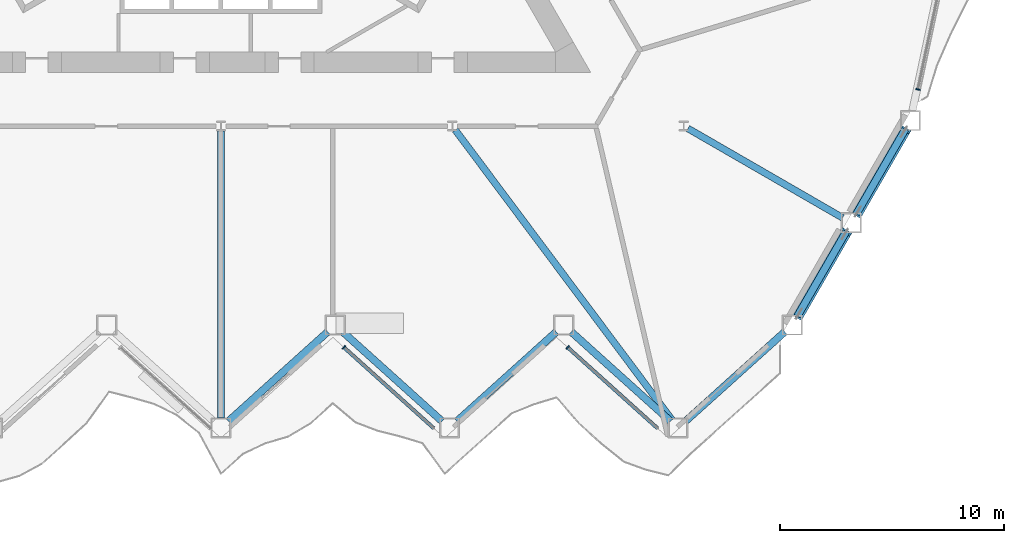
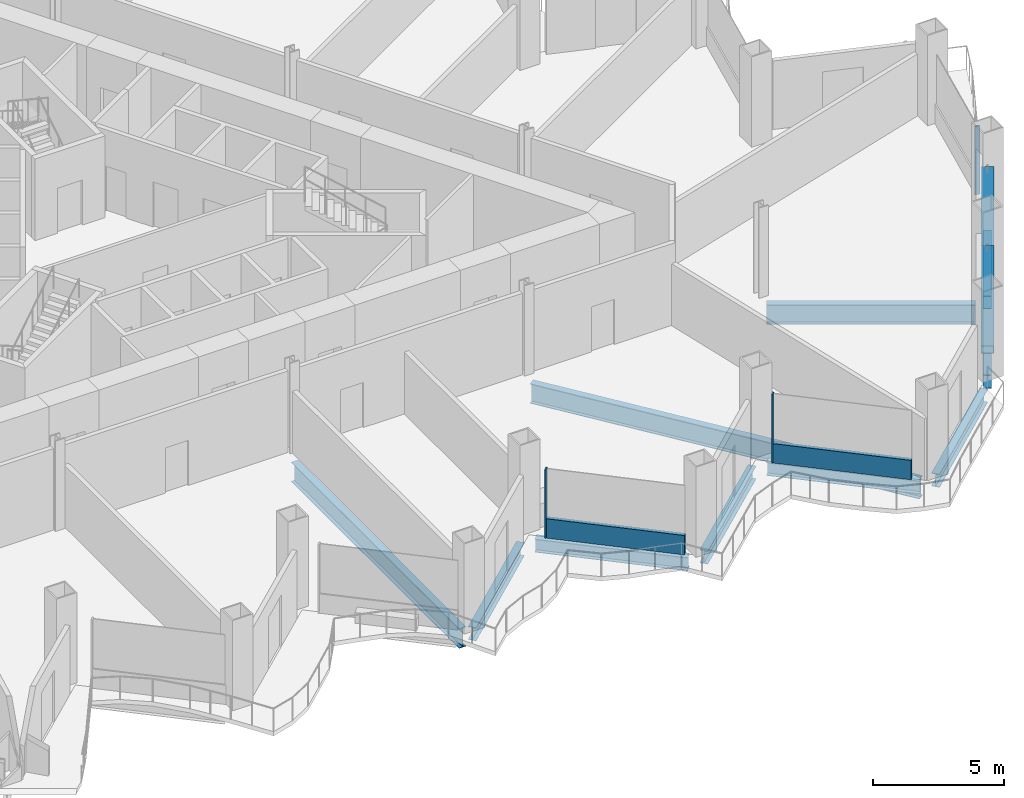
# One storey, part 5 of 21: 10 beams, 7 members, 3 elements without a shape of their own.
"""IFC4 building model written with IfcOpenShell, lengths in metres."""

from ifc_helpers import new_model, si_unit, direction, frame, origin, origin_2d, place, context, subcontext, project, spatial, rectangle, hollow_rectangle, i_section, extrude, material, layer, layer_set, material_profile, profile_set, type_object, element, aggregate, save


model = new_model("IFC4")

# Units and contexts
model_context = context("Model", 3, precision=1e-05, world=origin(), true_north=direction((0.0, 1.0)))
body_context = subcontext(model_context, "Body", "Model", "MODEL_VIEW")
ifc_project = project(units=[si_unit("LENGTHUNIT", "METRE"), si_unit("AREAUNIT", "SQUARE_METRE"), si_unit("VOLUMEUNIT", "CUBIC_METRE"), si_unit("PLANEANGLEUNIT", "RADIAN"), si_unit("MASSUNIT", "GRAM", prefix="KILO")], contexts=[model_context])

# Site, building, storey
site_placement = place(None, origin())
site = spatial("IfcSite", under=ifc_project, at=site_placement, CompositionType="ELEMENT")
building_placement = place(site_placement, origin())
building = spatial("IfcBuilding", under=site, at=building_placement, Name="Cormorant Prow Tower", CompositionType="ELEMENT")
storey_placement = place(building_placement, frame((0.0, 0.0, 108.0)))
storey = spatial("IfcBuildingStorey", under=building, at=storey_placement, Name="L22", CompositionType="ELEMENT", Elevation=108.0)

# Members
ifc_material_1 = material(Name="Structural steel ASTM A500 Gr C", Category="steel")
ifc_material_profile_1 = material_profile(ifc_material_1, hollow_rectangle(XDim=0.508056640625, YDim=0.508056640625, WallThickness=0.014892578125, at=origin_2d()), Name="HSS20x20x5/8")
ifc_profile_set_1 = profile_set([ifc_material_profile_1], Name="Structural steel ASTM A500 Gr C")
member_type_1 = type_object("IfcMemberType", Name="Chamfer brace HSS20x20x5/8", PredefinedType="BRACE", material=ifc_profile_set_1)
for number, where, z_axis, x_axis, name in (
    (1, (25.733642578125, -20.402099609375, 0.776611328125), (0.467784671838, 0.810243526908, 0.35310469821), (-0.866029868417, 0.499992266949, 0.0), "Chamfer brace BR1 at ESE00 L22"),
    (2, (28.368408203125, -15.83837890625, 0.776611328125), (0.467784671838, 0.810243526908, 0.35310469821), (-0.866029868417, 0.499992266949, 0.0), "Chamfer brace BR1 at ESE01 L22"),
):
    element("IfcMember", number, at=place(storey_placement, frame(where, z_axis=z_axis, x_axis=x_axis)), inside=storey, type_object=member_type_1, Name=name, PredefinedType="BRACE", context=body_context, shape_type="SweptSolid", body=[
        extrude(hollow_rectangle(XDim=0.508056640625, YDim=0.508056640625, WallThickness=0.014892578125, at=origin_2d()), origin(), (0.0, 0.0, 1.0), 4.632568359375),
    ])

# Curtain wall, member
ifc_material_2 = material(Name="Aluminium 6063-T6", Category="aluminium")
ifc_layer = layer(ifc_material_2, 0.199951171875)
ifc_layer_set = layer_set([ifc_layer], Name="Aluminium 6063-T6")
curtain_wall_type = type_object("IfcCurtainWallType", Name="Office unitised curtain wall 200", PredefinedType="NOTDEFINED", material=ifc_layer_set)
curtain_wall_1_placement = place(storey_placement, origin())
curtain_wall_1 = element("IfcCurtainWall", 3, at=curtain_wall_1_placement, inside=storey, type_object=curtain_wall_type, Name="Office curtain wall S06", PredefinedType="NOTDEFINED")
ifc_material_3 = material(Name="Aluminium 6063-T6", Category="aluminium")
ifc_material_profile_2 = material_profile(ifc_material_3, rectangle(XDim=0.199951171875, YDim=0.06005859375, at=origin_2d()), Name="Office mullion 60x200")
ifc_profile_set_2 = profile_set([ifc_material_profile_2], Name="Aluminium 6063-T6")
member_type_2 = type_object("IfcMemberType", Name="Office mullion 60x200", PredefinedType="MULLION", material=ifc_profile_set_2)
member_1_placement = place(storey_placement, frame((5.487548828125, -21.800537109375, 0.0), z_axis=(0.0, 0.0, 1.0), x_axis=(0.669130650497, 0.743144785735, 0.0)))
member_1 = element("IfcMember", 4, at=member_1_placement, type_object=member_type_2, Name="Office mullion S06", PredefinedType="MULLION", context=body_context, shape_type="SweptSolid", body=[
    extrude(rectangle(XDim=0.199951171875, YDim=0.06005859375, at=origin_2d()), origin(), (0.0, 0.0, 1.0), 3.18896484375),
])

curtain_wall_2_placement = place(storey_placement, origin())
curtain_wall_2 = element("IfcCurtainWall", 5, at=curtain_wall_2_placement, inside=storey, type_object=curtain_wall_type, Name="Office curtain wall S08", PredefinedType="NOTDEFINED")
member_2_placement = place(storey_placement, frame((15.472900390625, -21.800537109375, 0.0), z_axis=(0.0, 0.0, 1.0), x_axis=(0.669130650497, 0.743144785735, 0.0)))
member_2 = element("IfcMember", 6, at=member_2_placement, type_object=member_type_2, Name="Office mullion S08", PredefinedType="MULLION", context=body_context, shape_type="SweptSolid", body=[
    extrude(rectangle(XDim=0.199951171875, YDim=0.06005859375, at=origin_2d()), origin(), (0.0, 0.0, 1.0), 3.18896484375),
])

curtain_wall_3_placement = place(storey_placement, origin())
curtain_wall_3 = element("IfcCurtainWall", 7, at=curtain_wall_3_placement, inside=storey, type_object=curtain_wall_type, Name="Office curtain wall ENE00", PredefinedType="NOTDEFINED")
member_3_placement = place(storey_placement, frame((31.114013671875, -10.2900390625, 0.0), z_axis=(0.0, 0.0, 1.0), x_axis=(-0.978147583933, 0.207911769861, 0.0)))
member_3 = element("IfcMember", 8, at=member_3_placement, type_object=member_type_2, Name="Office mullion ENE00", PredefinedType="MULLION", context=body_context, shape_type="SweptSolid", body=[
    extrude(rectangle(XDim=0.199951171875, YDim=0.06005859375, at=origin_2d()), origin(), (0.0, 0.0, 1.0), 3.18896484375),
])
aggregate(curtain_wall_3, [member_3])

# Member
ifc_material_4 = material(Name="Terracotta", Category="masonry")
ifc_material_profile_3 = material_profile(ifc_material_4, rectangle(XDim=0.159912109375, YDim=0.89990234375, at=origin_2d()), Name="Office terracotta spandrel rail 160x900")
ifc_profile_set_3 = profile_set([ifc_material_profile_3], Name="Terracotta")
member_type_3 = type_object("IfcMemberType", Name="Office terracotta spandrel rail 160x900", PredefinedType="USERDEFINED", material=ifc_profile_set_3)
member_4_placement = place(storey_placement, frame((5.510009765625, -21.820556640625, 0.449951171875), z_axis=(0.743125087883, -0.669152526528, 0.0), x_axis=(0.669152526528, 0.743125087883, 0.0)))
member_4 = element("IfcMember", 9, at=member_4_placement, type_object=member_type_3, Name="Office spandrel rail S06", ObjectType="TRANSOM", PredefinedType="USERDEFINED", context=body_context, shape_type="SweptSolid", body=[
    extrude(rectangle(XDim=0.159912109375, YDim=0.89990234375, at=origin_2d()), origin(), (0.0, 0.0, 1.0), 5.38623046875),
])

aggregate(curtain_wall_1, [member_1, member_4])

member_5_placement = place(storey_placement, frame((15.495361328125, -21.820556640625, 0.449951171875), z_axis=(0.743125087883, -0.669152526528, 0.0), x_axis=(0.669152526528, 0.743125087883, 0.0)))
member_5 = element("IfcMember", 10, at=member_5_placement, type_object=member_type_3, Name="Office spandrel rail S08", ObjectType="TRANSOM", PredefinedType="USERDEFINED", context=body_context, shape_type="SweptSolid", body=[
    extrude(rectangle(XDim=0.159912109375, YDim=0.89990234375, at=origin_2d()), origin(), (0.0, 0.0, 1.0), 5.38623046875),
])

aggregate(curtain_wall_2, [member_2, member_5])

# Beams
ifc_material_5 = material(Name="Structural steel ASTM A992 Gr 50", Category="steel")
ifc_material_profile_4 = material_profile(ifc_material_5, i_section(OverallWidth=0.3046875, OverallDepth=0.914794921875, WebThickness=0.0166015625, FlangeThickness=0.02587890625, at=origin_2d()), Name="W36x160")
ifc_profile_set_4 = profile_set([ifc_material_profile_4], Name="Structural steel ASTM A992 Gr 50")
beam_type_1 = type_object("IfcBeamType", Name="Radial floor beam W36x160", PredefinedType="BEAM", material=ifc_profile_set_4)
beam_1_placement = place(storey_placement, frame((0.0, -12.143798828125, -0.857421875), z_axis=(0.0, -1.0, 0.0), x_axis=(1.0, 0.0, 0.0)))
element("IfcBeam", 11, at=beam_1_placement, inside=storey, type_object=beam_type_1, Name="Radial floor beam FB1 7 L22", PredefinedType="BEAM", context=body_context, shape_type="SweptSolid", body=[
    extrude(i_section(OverallWidth=0.3046875, OverallDepth=0.914794921875, WebThickness=0.0166015625, FlangeThickness=0.02587890625, at=origin_2d()), origin(), (0.0, 0.0, 1.0), 12.805419921875),
])
beam_2_placement = place(storey_placement, frame((10.458740234375, -12.100341796875, -0.857421875), z_axis=(0.598722444929, -0.800956574315, 0.0), x_axis=(0.800956574315, 0.598722444929, 0.0)))
element("IfcBeam", 12, at=beam_2_placement, inside=storey, type_object=beam_type_1, Name="Radial floor beam FB1 8 L22", PredefinedType="BEAM", context=body_context, shape_type="SweptSolid", body=[
    extrude(i_section(OverallWidth=0.3046875, OverallDepth=0.914794921875, WebThickness=0.0166015625, FlangeThickness=0.02587890625, at=origin_2d()), origin(), (0.0, 0.0, 1.0), 16.15380859375),
])
beam_3_placement = place(storey_placement, frame((20.84521484375, -12.034912109375, -0.857421875), z_axis=(0.866018715534, -0.50001158421, 0.0), x_axis=(0.50001158421, 0.866018715534, 0.0)))
element("IfcBeam", 13, at=beam_3_placement, inside=storey, type_object=beam_type_1, Name="Radial floor beam FB1 9 L22", PredefinedType="BEAM", context=body_context, shape_type="SweptSolid", body=[
    extrude(i_section(OverallWidth=0.3046875, OverallDepth=0.914794921875, WebThickness=0.0166015625, FlangeThickness=0.02587890625, at=origin_2d()), origin(), (0.0, 0.0, 1.0), 7.967041015625),
])
ifc_material_6 = material(Name="Structural steel ASTM A992 Gr 50", Category="steel")
ifc_material_profile_5 = material_profile(ifc_material_6, i_section(OverallWidth=0.32373046875, OverallDepth=0.611083984375, WebThickness=0.0126953125, FlangeThickness=0.01904296875, at=origin_2d()), Name="W24x104")
ifc_profile_set_5 = profile_set([ifc_material_profile_5], Name="Structural steel ASTM A992 Gr 50")
beam_type_2 = type_object("IfcBeamType", Name="Spandrel beam W24x104", PredefinedType="SPANDREL", material=ifc_profile_set_5)
for number, where, z_axis, x_axis, name in (
    (14, (0.33447265625, -25.09814453125, -0.70556640625), (0.743131253571, 0.66914567918, 0.0), (-0.66914567918, 0.743131253571, 0.0), "Spandrel beam SB1 S05-S06 L22"),
    (15, (5.434326171875, -21.108154296875, -0.70556640625), (0.743131253571, -0.66914567918, 0.0), (0.66914567918, 0.743131253571, 0.0), "Spandrel beam SB1 S06-S07 L22"),
    (16, (10.5341796875, -25.09814453125, -0.70556640625), (0.743131253571, 0.66914567918, 0.0), (-0.66914567918, 0.743131253571, 0.0), "Spandrel beam SB1 S07-S08 L22"),
    (17, (15.63427734375, -21.108154296875, -0.70556640625), (0.743131253571, -0.66914567918, 0.0), (0.66914567918, 0.743131253571, 0.0), "Spandrel beam SB1 S08-S09 L22"),
    (18, (20.734130859375, -25.09814453125, -0.70556640625), (0.743131253571, 0.66914567918, 0.0), (-0.66914567918, 0.743131253571, 0.0), "Spandrel beam SB1 S09-ESE00 L22"),
):
    element("IfcBeam", number, at=place(storey_placement, frame(where, z_axis=z_axis, x_axis=x_axis)), inside=storey, type_object=beam_type_2, Name=name, PredefinedType="SPANDREL", context=body_context, shape_type="SweptSolid", body=[
        extrude(i_section(OverallWidth=0.32373046875, OverallDepth=0.611083984375, WebThickness=0.0126953125, FlangeThickness=0.01904296875, at=origin_2d()), origin(), (0.0, 0.0, 1.0), 5.962890625),
    ])
for number, where, z_axis, x_axis, name in (
    (19, (25.724609375, -20.41748046875, -0.70556640625), (0.500002967982, 0.866023690213, 0.0), (-0.866023690213, 0.500002967982, 0.0), "Spandrel beam SB1 ESE00-ESE01 L22"),
    (20, (28.359619140625, -15.853759765625, -0.70556640625), (0.500002967982, 0.866023690213, 0.0), (-0.866023690213, 0.500002967982, 0.0), "Spandrel beam SB1 ESE01-ENE00 L22"),
):
    element("IfcBeam", number, at=place(storey_placement, frame(where, z_axis=z_axis, x_axis=x_axis)), inside=storey, type_object=beam_type_2, Name=name, PredefinedType="SPANDREL", context=body_context, shape_type="SweptSolid", body=[
        extrude(i_section(OverallWidth=0.32373046875, OverallDepth=0.611083984375, WebThickness=0.0126953125, FlangeThickness=0.01904296875, at=origin_2d()), origin(), (0.0, 0.0, 1.0), 4.36962890625),
    ])

save(model, "model.ifc")
